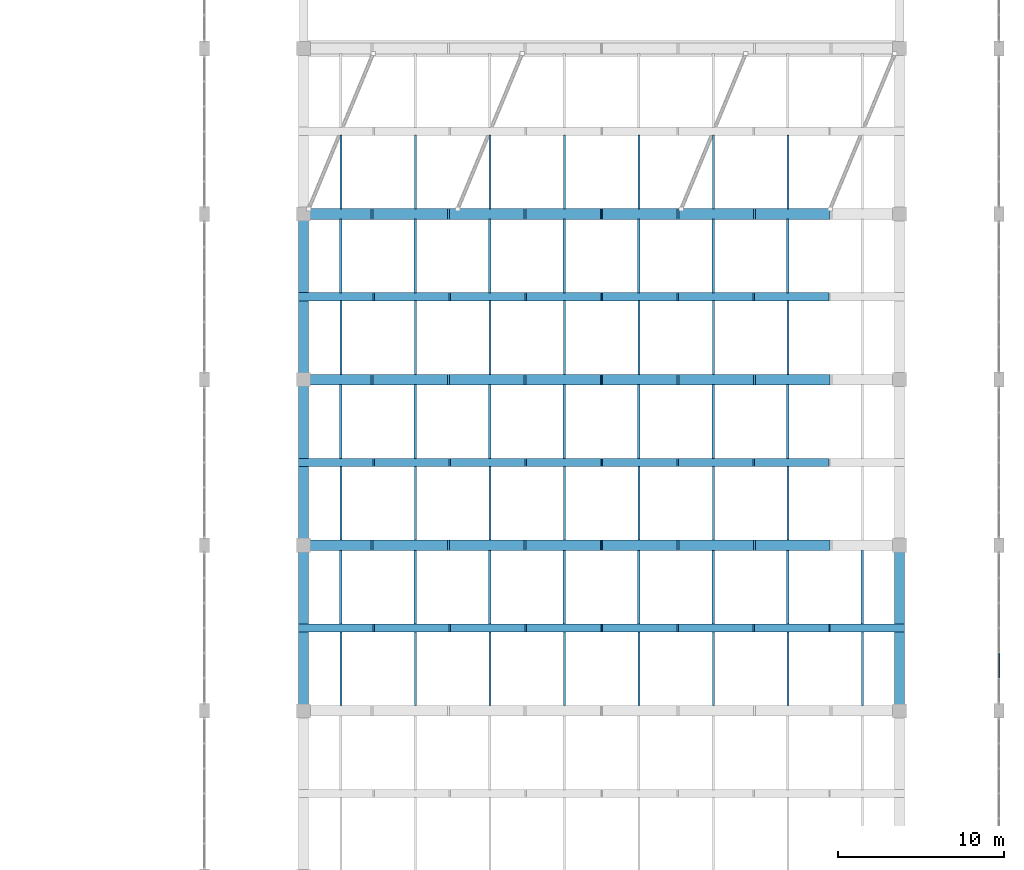
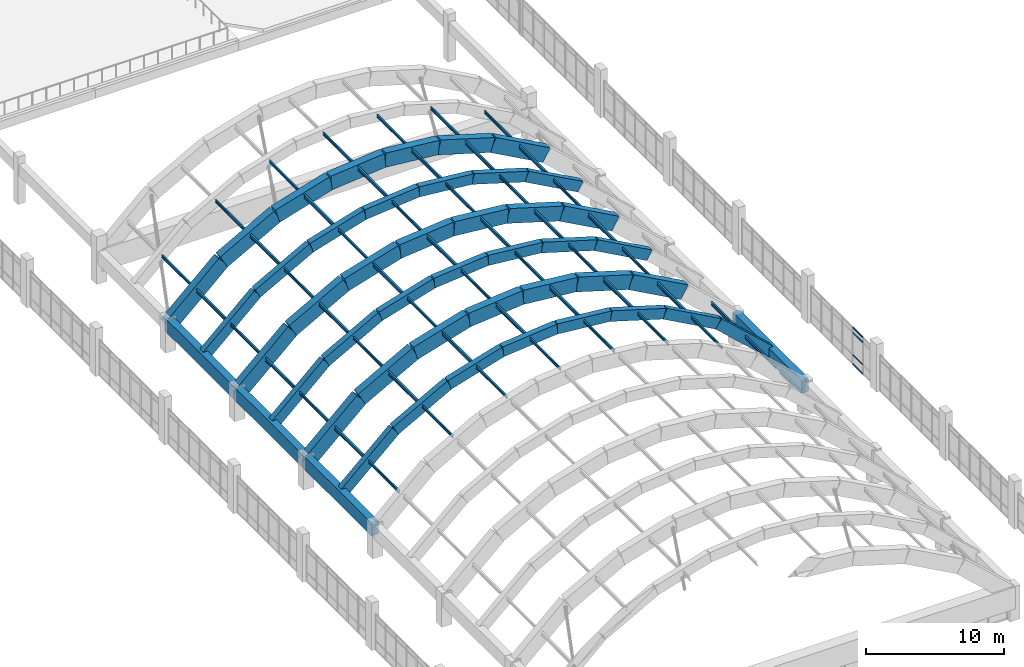
# One storey, part 76 of 111: 55 members, 47 beams, 1 element without a shape of its own.
"""IFC4 building model written with IfcOpenShell, lengths in metres."""

from ifc_helpers import new_model, si_unit, direction, frame, origin, origin_2d, place, context, subcontext, project, spatial, rectangle, hollow_rectangle, i_section, extrude, material, layer, layer_set, material_profile, profile_set, type_object, element, aggregate, save


model = new_model("IFC4")

# Units and contexts
model_context = context("Model", 3, precision=1e-05, world=origin(), true_north=direction((0.0, 1.0)))
body_context = subcontext(model_context, "Body", "Model", "MODEL_VIEW")
ifc_project = project(units=[si_unit("LENGTHUNIT", "METRE"), si_unit("AREAUNIT", "SQUARE_METRE"), si_unit("VOLUMEUNIT", "CUBIC_METRE"), si_unit("PLANEANGLEUNIT", "RADIAN"), si_unit("MASSUNIT", "GRAM", prefix="KILO")], contexts=[model_context])

# Site, building, storey
site_placement = place(None, origin())
site = spatial("IfcSite", under=ifc_project, at=site_placement, CompositionType="ELEMENT")
building_placement = place(site_placement, origin())
building = spatial("IfcBuilding", under=site, at=building_placement, Name="Mersad Railyard Sports Hall", CompositionType="ELEMENT")
storey_placement = place(building_placement, frame((0.0, 0.0, 9.0)))
storey = spatial("IfcBuildingStorey", under=building, at=storey_placement, Name="L02", CompositionType="ELEMENT", Elevation=9.0)

# Curtain wall, members
ifc_material_1 = material(Name="Aluminium 6063-T6", Category="aluminium")
ifc_layer = layer(ifc_material_1, 0.159912109375)
ifc_layer_set = layer_set([ifc_layer], Name="Aluminium 6063-T6")
curtain_wall_type = type_object("IfcCurtainWallType", Name="ARC-CW-CW18", PredefinedType="USERDEFINED", material=ifc_layer_set)
curtain_wall_placement = place(storey_placement, origin())
curtain_wall = element("IfcCurtainWall", 1, at=curtain_wall_placement, inside=storey, type_object=curtain_wall_type, Name="Curtain wall CW18-0051", ObjectType="CURTAIN WALL", PredefinedType="USERDEFINED")
ifc_material_profile_1 = material_profile(ifc_material_1, hollow_rectangle(XDim=0.06005859375, YDim=0.1201171875, WallThickness=0.00390625, at=origin_2d()), Name="AL TRANSOM 60x120x4")
ifc_profile_set_1 = profile_set([ifc_material_profile_1], Name="Aluminium 6063-T6")
member_type_1 = type_object("IfcMemberType", Name="ARC-CW-TRN01", PredefinedType="USERDEFINED", material=ifc_profile_set_1)
member_1_placement = place(storey_placement, frame((179.0, 36.969970703125, 0.0400390625), z_axis=(0.0, -1.0, 0.0), x_axis=(1.0, 0.0, 0.0)))
member_1 = element("IfcMember", 2, at=member_1_placement, type_object=member_type_1, Name="CW18 Transom 1-5", ObjectType="TRANSOM", PredefinedType="USERDEFINED", context=body_context, shape_type="SweptSolid", body=[
    extrude(hollow_rectangle(XDim=0.06005859375, YDim=0.1201171875, WallThickness=0.00390625, at=origin_2d()), origin(), (0.0, 0.0, 1.0), 1.469970703125),
])
member_2_placement = place(storey_placement, frame((179.0, 36.969970703125, 0.85009765625), z_axis=(0.0, -1.0, 0.0), x_axis=(1.0, 0.0, 0.0)))
member_2 = element("IfcMember", 3, at=member_2_placement, type_object=member_type_1, Name="CW18 Transom 2-5", ObjectType="TRANSOM", PredefinedType="USERDEFINED", context=body_context, shape_type="SweptSolid", body=[
    extrude(hollow_rectangle(XDim=0.06005859375, YDim=0.1201171875, WallThickness=0.00390625, at=origin_2d()), origin(), (0.0, 0.0, 1.0), 1.469970703125),
])
member_3_placement = place(storey_placement, frame((179.0, 36.969970703125, 2.820068359375), z_axis=(0.0, -1.0, 0.0), x_axis=(1.0, 0.0, 0.0)))
member_3 = element("IfcMember", 4, at=member_3_placement, type_object=member_type_1, Name="CW18 Transom 3-5", ObjectType="TRANSOM", PredefinedType="USERDEFINED", context=body_context, shape_type="SweptSolid", body=[
    extrude(hollow_rectangle(XDim=0.06005859375, YDim=0.1201171875, WallThickness=0.00390625, at=origin_2d()), origin(), (0.0, 0.0, 1.0), 1.469970703125),
])
member_4_placement = place(storey_placement, frame((179.0, 36.969970703125, 3.260009765625), z_axis=(0.0, -1.0, 0.0), x_axis=(1.0, 0.0, 0.0)))
member_4 = element("IfcMember", 5, at=member_4_placement, type_object=member_type_1, Name="CW18 Transom 4-5", ObjectType="TRANSOM", PredefinedType="USERDEFINED", context=body_context, shape_type="SweptSolid", body=[
    extrude(hollow_rectangle(XDim=0.06005859375, YDim=0.1201171875, WallThickness=0.00390625, at=origin_2d()), origin(), (0.0, 0.0, 1.0), 1.469970703125),
])
aggregate(curtain_wall, [member_1, member_2, member_3, member_4])

# Beams
ifc_material_2 = material(Name="Concrete C50/60", Category="concrete")
ifc_material_profile_2 = material_profile(ifc_material_2, rectangle(XDim=0.60009765625, YDim=1.14990234375, at=origin_2d()), Name="RC 600x1150")
ifc_profile_set_2 = profile_set([ifc_material_profile_2], Name="Concrete C50/60")
beam_type_1 = type_object("IfcBeamType", Name="STR-BM-B05", PredefinedType="BEAM", material=ifc_profile_set_2)
for number, where, z_axis, x_axis, name in (
    (6, (137.0, 33.5, 2.300048828125), (0.0, 1.0, 0.0), (-1.0, 0.0, 0.0), "Beam B05-0711"),
    (7, (173.0, 33.5, 2.300048828125), (0.0, 1.0, 0.0), (-1.0, 0.0, 0.0), "Beam B05-0712"),
    (8, (137.0, 43.5, 2.300048828125), (0.0, 1.0, 0.0), (-1.0, 0.0, 0.0), "Beam B05-0713"),
    (9, (137.0, 53.5, 2.300048828125), (0.0, 1.0, 0.0), (-1.0, 0.0, 0.0), "Beam B05-0715"),
):
    element("IfcBeam", number, at=place(storey_placement, frame(where, z_axis=z_axis, x_axis=x_axis)), inside=storey, type_object=beam_type_1, Name=name, PredefinedType="BEAM", context=body_context, shape_type="SweptSolid", body=[
        extrude(rectangle(XDim=0.60009765625, YDim=1.14990234375, at=origin_2d()), origin(), (0.0, 0.0, 1.0), 10.0),
    ])
ifc_material_3 = material(Name="Architectural concrete C50/60", Category="concrete")
ifc_material_profile_3 = material_profile(ifc_material_3, rectangle(XDim=0.64990234375, YDim=1.25, at=origin_2d()), Name="VR 650x1250")
ifc_profile_set_3 = profile_set([ifc_material_profile_3], Name="Architectural concrete C50/60")
beam_type_2 = type_object("IfcBeamType", Name="STR-BM-VR01", PredefinedType="BEAM", material=ifc_profile_set_3)
beam_1_placement = place(storey_placement, frame((137.0, 43.5, 2.14990234375), z_axis=(0.736556702909, 0.0, 0.676375800425), x_axis=(0.0, 1.0, 0.0)))
element("IfcBeam", 10, at=beam_1_placement, inside=storey, type_object=beam_type_2, Name="Beam VR01-0785", PredefinedType="BEAM", context=body_context, shape_type="SweptSolid", body=[
    extrude(rectangle(XDim=0.64990234375, YDim=1.25, at=origin_2d()), origin(), (0.0, 0.0, 1.0), 6.109619140625),
])
beam_2_placement = place(storey_placement, frame((141.5, 43.5, 6.2822265625), z_axis=(0.876227952683, 0.0, 0.48189685093), x_axis=(0.0, 1.0, 0.0)))
element("IfcBeam", 11, at=beam_2_placement, inside=storey, type_object=beam_type_2, Name="Beam VR01-0786", PredefinedType="BEAM", context=body_context, shape_type="SweptSolid", body=[
    extrude(rectangle(XDim=0.64990234375, YDim=1.25, at=origin_2d()), origin(), (0.0, 0.0, 1.0), 5.1357421875),
])
beam_3_placement = place(storey_placement, frame((146.0, 43.5, 8.757080078125), z_axis=(0.957376232028, 0.0, 0.288843816531), x_axis=(0.0, 1.0, 0.0)))
element("IfcBeam", 12, at=beam_3_placement, inside=storey, type_object=beam_type_2, Name="Beam VR01-0787", PredefinedType="BEAM", context=body_context, shape_type="SweptSolid", body=[
    extrude(rectangle(XDim=0.64990234375, YDim=1.25, at=origin_2d()), origin(), (0.0, 0.0, 1.0), 4.700439453125),
])
for number, where, z_axis, x_axis, name in (
    (13, (150.5, 43.5, 10.11474609375), (0.995353854101, 0.0, 0.096284500969), (0.0, 1.0, 0.0), "Beam VR01-0788"),
    (14, (155.0, 43.5, 10.550048828125), (0.995353854101, 0.0, -0.096284500969), (0.0, 1.0, 0.0), "Beam VR01-0789"),
):
    element("IfcBeam", number, at=place(storey_placement, frame(where, z_axis=z_axis, x_axis=x_axis)), inside=storey, type_object=beam_type_2, Name=name, PredefinedType="BEAM", context=body_context, shape_type="SweptSolid", body=[
        extrude(rectangle(XDim=0.64990234375, YDim=1.25, at=origin_2d()), origin(), (0.0, 0.0, 1.0), 4.52099609375),
    ])
beam_4_placement = place(storey_placement, frame((159.5, 43.5, 10.11474609375), z_axis=(0.957376232028, 0.0, -0.288843816531), x_axis=(0.0, 1.0, 0.0)))
element("IfcBeam", 15, at=beam_4_placement, inside=storey, type_object=beam_type_2, Name="Beam VR01-0790", PredefinedType="BEAM", context=body_context, shape_type="SweptSolid", body=[
    extrude(rectangle(XDim=0.64990234375, YDim=1.25, at=origin_2d()), origin(), (0.0, 0.0, 1.0), 4.700439453125),
])
beam_5_placement = place(storey_placement, frame((164.0, 43.5, 8.757080078125), z_axis=(0.876227952683, 0.0, -0.48189685093), x_axis=(0.0, 1.0, 0.0)))
element("IfcBeam", 16, at=beam_5_placement, inside=storey, type_object=beam_type_2, Name="Beam VR01-0791", PredefinedType="BEAM", context=body_context, shape_type="SweptSolid", body=[
    extrude(rectangle(XDim=0.64990234375, YDim=1.25, at=origin_2d()), origin(), (0.0, 0.0, 1.0), 5.1357421875),
])
beam_6_placement = place(storey_placement, frame((137.0, 53.5, 2.14990234375), z_axis=(0.736556702909, 0.0, 0.676375800425), x_axis=(0.0, 1.0, 0.0)))
element("IfcBeam", 17, at=beam_6_placement, inside=storey, type_object=beam_type_2, Name="Beam VR01-0801", PredefinedType="BEAM", context=body_context, shape_type="SweptSolid", body=[
    extrude(rectangle(XDim=0.64990234375, YDim=1.25, at=origin_2d()), origin(), (0.0, 0.0, 1.0), 6.109619140625),
])
beam_7_placement = place(storey_placement, frame((141.5, 53.5, 6.2822265625), z_axis=(0.876227952683, 0.0, 0.48189685093), x_axis=(0.0, 1.0, 0.0)))
element("IfcBeam", 18, at=beam_7_placement, inside=storey, type_object=beam_type_2, Name="Beam VR01-0802", PredefinedType="BEAM", context=body_context, shape_type="SweptSolid", body=[
    extrude(rectangle(XDim=0.64990234375, YDim=1.25, at=origin_2d()), origin(), (0.0, 0.0, 1.0), 5.1357421875),
])
beam_8_placement = place(storey_placement, frame((146.0, 53.5, 8.757080078125), z_axis=(0.957376232028, 0.0, 0.288843816531), x_axis=(0.0, 1.0, 0.0)))
element("IfcBeam", 19, at=beam_8_placement, inside=storey, type_object=beam_type_2, Name="Beam VR01-0803", PredefinedType="BEAM", context=body_context, shape_type="SweptSolid", body=[
    extrude(rectangle(XDim=0.64990234375, YDim=1.25, at=origin_2d()), origin(), (0.0, 0.0, 1.0), 4.700439453125),
])
for number, where, z_axis, x_axis, name in (
    (20, (150.5, 53.5, 10.11474609375), (0.995353854101, 0.0, 0.096284500969), (0.0, 1.0, 0.0), "Beam VR01-0804"),
    (21, (155.0, 53.5, 10.550048828125), (0.995353854101, 0.0, -0.096284500969), (0.0, 1.0, 0.0), "Beam VR01-0805"),
):
    element("IfcBeam", number, at=place(storey_placement, frame(where, z_axis=z_axis, x_axis=x_axis)), inside=storey, type_object=beam_type_2, Name=name, PredefinedType="BEAM", context=body_context, shape_type="SweptSolid", body=[
        extrude(rectangle(XDim=0.64990234375, YDim=1.25, at=origin_2d()), origin(), (0.0, 0.0, 1.0), 4.52099609375),
    ])
beam_9_placement = place(storey_placement, frame((159.5, 53.5, 10.11474609375), z_axis=(0.957376232028, 0.0, -0.288843816531), x_axis=(0.0, 1.0, 0.0)))
element("IfcBeam", 22, at=beam_9_placement, inside=storey, type_object=beam_type_2, Name="Beam VR01-0806", PredefinedType="BEAM", context=body_context, shape_type="SweptSolid", body=[
    extrude(rectangle(XDim=0.64990234375, YDim=1.25, at=origin_2d()), origin(), (0.0, 0.0, 1.0), 4.700439453125),
])
beam_10_placement = place(storey_placement, frame((164.0, 53.5, 8.757080078125), z_axis=(0.876227952683, 0.0, -0.48189685093), x_axis=(0.0, 1.0, 0.0)))
element("IfcBeam", 23, at=beam_10_placement, inside=storey, type_object=beam_type_2, Name="Beam VR01-0807", PredefinedType="BEAM", context=body_context, shape_type="SweptSolid", body=[
    extrude(rectangle(XDim=0.64990234375, YDim=1.25, at=origin_2d()), origin(), (0.0, 0.0, 1.0), 5.1357421875),
])
beam_11_placement = place(storey_placement, frame((137.0, 63.5, 2.14990234375), z_axis=(0.736556702909, 0.0, 0.676375800425), x_axis=(0.0, 1.0, 0.0)))
element("IfcBeam", 24, at=beam_11_placement, inside=storey, type_object=beam_type_2, Name="Beam VR01-0817", PredefinedType="BEAM", context=body_context, shape_type="SweptSolid", body=[
    extrude(rectangle(XDim=0.64990234375, YDim=1.25, at=origin_2d()), origin(), (0.0, 0.0, 1.0), 6.109619140625),
])
beam_12_placement = place(storey_placement, frame((141.5, 63.5, 6.2822265625), z_axis=(0.876227952683, 0.0, 0.48189685093), x_axis=(0.0, 1.0, 0.0)))
element("IfcBeam", 25, at=beam_12_placement, inside=storey, type_object=beam_type_2, Name="Beam VR01-0818", PredefinedType="BEAM", context=body_context, shape_type="SweptSolid", body=[
    extrude(rectangle(XDim=0.64990234375, YDim=1.25, at=origin_2d()), origin(), (0.0, 0.0, 1.0), 5.1357421875),
])
beam_13_placement = place(storey_placement, frame((146.0, 63.5, 8.757080078125), z_axis=(0.957376232028, 0.0, 0.288843816531), x_axis=(0.0, 1.0, 0.0)))
element("IfcBeam", 26, at=beam_13_placement, inside=storey, type_object=beam_type_2, Name="Beam VR01-0819", PredefinedType="BEAM", context=body_context, shape_type="SweptSolid", body=[
    extrude(rectangle(XDim=0.64990234375, YDim=1.25, at=origin_2d()), origin(), (0.0, 0.0, 1.0), 4.700439453125),
])
for number, where, z_axis, x_axis, name in (
    (27, (150.5, 63.5, 10.11474609375), (0.995353854101, 0.0, 0.096284500969), (0.0, 1.0, 0.0), "Beam VR01-0820"),
    (28, (155.0, 63.5, 10.550048828125), (0.995353854101, 0.0, -0.096284500969), (0.0, 1.0, 0.0), "Beam VR01-0821"),
):
    element("IfcBeam", number, at=place(storey_placement, frame(where, z_axis=z_axis, x_axis=x_axis)), inside=storey, type_object=beam_type_2, Name=name, PredefinedType="BEAM", context=body_context, shape_type="SweptSolid", body=[
        extrude(rectangle(XDim=0.64990234375, YDim=1.25, at=origin_2d()), origin(), (0.0, 0.0, 1.0), 4.52099609375),
    ])
beam_14_placement = place(storey_placement, frame((159.5, 63.5, 10.11474609375), z_axis=(0.957376232028, 0.0, -0.288843816531), x_axis=(0.0, 1.0, 0.0)))
element("IfcBeam", 29, at=beam_14_placement, inside=storey, type_object=beam_type_2, Name="Beam VR01-0822", PredefinedType="BEAM", context=body_context, shape_type="SweptSolid", body=[
    extrude(rectangle(XDim=0.64990234375, YDim=1.25, at=origin_2d()), origin(), (0.0, 0.0, 1.0), 4.700439453125),
])
beam_15_placement = place(storey_placement, frame((164.0, 63.5, 8.757080078125), z_axis=(0.876227952683, 0.0, -0.48189685093), x_axis=(0.0, 1.0, 0.0)))
element("IfcBeam", 30, at=beam_15_placement, inside=storey, type_object=beam_type_2, Name="Beam VR01-0823", PredefinedType="BEAM", context=body_context, shape_type="SweptSolid", body=[
    extrude(rectangle(XDim=0.64990234375, YDim=1.25, at=origin_2d()), origin(), (0.0, 0.0, 1.0), 5.1357421875),
])
ifc_material_profile_4 = material_profile(ifc_material_3, rectangle(XDim=0.5, YDim=0.89990234375, at=origin_2d()), Name="VR 500x900")
ifc_profile_set_4 = profile_set([ifc_material_profile_4], Name="Architectural concrete C50/60")
beam_type_3 = type_object("IfcBeamType", Name="STR-BM-VR02", PredefinedType="BEAM", material=ifc_profile_set_4)
beam_16_placement = place(storey_placement, frame((137.0, 38.5, 2.340087890625), z_axis=(0.736576611143, 0.0, 0.676354120204), x_axis=(0.0, 1.0, 0.0)))
element("IfcBeam", 31, at=beam_16_placement, inside=storey, type_object=beam_type_3, Name="Beam VR02-0777", PredefinedType="BEAM", context=body_context, shape_type="SweptSolid", body=[
    extrude(rectangle(XDim=0.5, YDim=0.89990234375, at=origin_2d()), origin(), (0.0, 0.0, 1.0), 6.109375),
])
beam_17_placement = place(storey_placement, frame((141.5, 38.5, 6.47216796875), z_axis=(0.876227952683, 0.0, 0.48189685093), x_axis=(0.0, 1.0, 0.0)))
element("IfcBeam", 32, at=beam_17_placement, inside=storey, type_object=beam_type_3, Name="Beam VR02-0778", PredefinedType="BEAM", context=body_context, shape_type="SweptSolid", body=[
    extrude(rectangle(XDim=0.5, YDim=0.89990234375, at=origin_2d()), origin(), (0.0, 0.0, 1.0), 5.1357421875),
])
beam_18_placement = place(storey_placement, frame((146.0, 38.5, 8.947021484375), z_axis=(0.957361867705, 0.0, 0.288891422969), x_axis=(0.0, 1.0, 0.0)))
element("IfcBeam", 33, at=beam_18_placement, inside=storey, type_object=beam_type_3, Name="Beam VR02-0779", PredefinedType="BEAM", context=body_context, shape_type="SweptSolid", body=[
    extrude(rectangle(XDim=0.5, YDim=0.89990234375, at=origin_2d()), origin(), (0.0, 0.0, 1.0), 4.700439453125),
])
for number, where, z_axis, x_axis, name in (
    (34, (150.5, 38.5, 10.304931640625), (0.99535902803, 0.0, 0.09623099978), (0.0, 1.0, 0.0), "Beam VR02-0780"),
    (35, (155.0, 38.5, 10.739990234375), (0.99535902803, 0.0, -0.09623099978), (0.0, 1.0, 0.0), "Beam VR02-0781"),
):
    element("IfcBeam", number, at=place(storey_placement, frame(where, z_axis=z_axis, x_axis=x_axis)), inside=storey, type_object=beam_type_3, Name=name, PredefinedType="BEAM", context=body_context, shape_type="SweptSolid", body=[
        extrude(rectangle(XDim=0.5, YDim=0.89990234375, at=origin_2d()), origin(), (0.0, 0.0, 1.0), 4.52099609375),
    ])
beam_19_placement = place(storey_placement, frame((159.5, 38.5, 10.304931640625), z_axis=(0.957361867705, 0.0, -0.288891422969), x_axis=(0.0, 1.0, 0.0)))
element("IfcBeam", 36, at=beam_19_placement, inside=storey, type_object=beam_type_3, Name="Beam VR02-0782", PredefinedType="BEAM", context=body_context, shape_type="SweptSolid", body=[
    extrude(rectangle(XDim=0.5, YDim=0.89990234375, at=origin_2d()), origin(), (0.0, 0.0, 1.0), 4.700439453125),
])
beam_20_placement = place(storey_placement, frame((164.0, 38.5, 8.947021484375), z_axis=(0.876227952683, 0.0, -0.48189685093), x_axis=(0.0, 1.0, 0.0)))
element("IfcBeam", 37, at=beam_20_placement, inside=storey, type_object=beam_type_3, Name="Beam VR02-0783", PredefinedType="BEAM", context=body_context, shape_type="SweptSolid", body=[
    extrude(rectangle(XDim=0.5, YDim=0.89990234375, at=origin_2d()), origin(), (0.0, 0.0, 1.0), 5.1357421875),
])
for number, where, z_axis, x_axis, name in (
    (38, (168.5, 38.5, 6.47216796875), (0.736576611143, 0.0, -0.676354120204), (0.0, 1.0, 0.0), "Beam VR02-0784"),
    (39, (137.0, 48.5, 2.340087890625), (0.736576611143, 0.0, 0.676354120204), (0.0, 1.0, 0.0), "Beam VR02-0793"),
):
    element("IfcBeam", number, at=place(storey_placement, frame(where, z_axis=z_axis, x_axis=x_axis)), inside=storey, type_object=beam_type_3, Name=name, PredefinedType="BEAM", context=body_context, shape_type="SweptSolid", body=[
        extrude(rectangle(XDim=0.5, YDim=0.89990234375, at=origin_2d()), origin(), (0.0, 0.0, 1.0), 6.109375),
    ])
beam_21_placement = place(storey_placement, frame((141.5, 48.5, 6.47216796875), z_axis=(0.876227952683, 0.0, 0.48189685093), x_axis=(0.0, 1.0, 0.0)))
element("IfcBeam", 40, at=beam_21_placement, inside=storey, type_object=beam_type_3, Name="Beam VR02-0794", PredefinedType="BEAM", context=body_context, shape_type="SweptSolid", body=[
    extrude(rectangle(XDim=0.5, YDim=0.89990234375, at=origin_2d()), origin(), (0.0, 0.0, 1.0), 5.1357421875),
])
beam_22_placement = place(storey_placement, frame((146.0, 48.5, 8.947021484375), z_axis=(0.957361867705, 0.0, 0.288891422969), x_axis=(0.0, 1.0, 0.0)))
element("IfcBeam", 41, at=beam_22_placement, inside=storey, type_object=beam_type_3, Name="Beam VR02-0795", PredefinedType="BEAM", context=body_context, shape_type="SweptSolid", body=[
    extrude(rectangle(XDim=0.5, YDim=0.89990234375, at=origin_2d()), origin(), (0.0, 0.0, 1.0), 4.700439453125),
])
for number, where, z_axis, x_axis, name in (
    (42, (150.5, 48.5, 10.304931640625), (0.99535902803, 0.0, 0.09623099978), (0.0, 1.0, 0.0), "Beam VR02-0796"),
    (43, (155.0, 48.5, 10.739990234375), (0.99535902803, 0.0, -0.09623099978), (0.0, 1.0, 0.0), "Beam VR02-0797"),
):
    element("IfcBeam", number, at=place(storey_placement, frame(where, z_axis=z_axis, x_axis=x_axis)), inside=storey, type_object=beam_type_3, Name=name, PredefinedType="BEAM", context=body_context, shape_type="SweptSolid", body=[
        extrude(rectangle(XDim=0.5, YDim=0.89990234375, at=origin_2d()), origin(), (0.0, 0.0, 1.0), 4.52099609375),
    ])
beam_23_placement = place(storey_placement, frame((159.5, 48.5, 10.304931640625), z_axis=(0.957361867705, 0.0, -0.288891422969), x_axis=(0.0, 1.0, 0.0)))
element("IfcBeam", 44, at=beam_23_placement, inside=storey, type_object=beam_type_3, Name="Beam VR02-0798", PredefinedType="BEAM", context=body_context, shape_type="SweptSolid", body=[
    extrude(rectangle(XDim=0.5, YDim=0.89990234375, at=origin_2d()), origin(), (0.0, 0.0, 1.0), 4.700439453125),
])
beam_24_placement = place(storey_placement, frame((164.0, 48.5, 8.947021484375), z_axis=(0.876227952683, 0.0, -0.48189685093), x_axis=(0.0, 1.0, 0.0)))
element("IfcBeam", 45, at=beam_24_placement, inside=storey, type_object=beam_type_3, Name="Beam VR02-0799", PredefinedType="BEAM", context=body_context, shape_type="SweptSolid", body=[
    extrude(rectangle(XDim=0.5, YDim=0.89990234375, at=origin_2d()), origin(), (0.0, 0.0, 1.0), 5.1357421875),
])
beam_25_placement = place(storey_placement, frame((137.0, 58.5, 2.340087890625), z_axis=(0.736576611143, 0.0, 0.676354120204), x_axis=(0.0, 1.0, 0.0)))
element("IfcBeam", 46, at=beam_25_placement, inside=storey, type_object=beam_type_3, Name="Beam VR02-0809", PredefinedType="BEAM", context=body_context, shape_type="SweptSolid", body=[
    extrude(rectangle(XDim=0.5, YDim=0.89990234375, at=origin_2d()), origin(), (0.0, 0.0, 1.0), 6.109375),
])
beam_26_placement = place(storey_placement, frame((141.5, 58.5, 6.47216796875), z_axis=(0.876227952683, 0.0, 0.48189685093), x_axis=(0.0, 1.0, 0.0)))
element("IfcBeam", 47, at=beam_26_placement, inside=storey, type_object=beam_type_3, Name="Beam VR02-0810", PredefinedType="BEAM", context=body_context, shape_type="SweptSolid", body=[
    extrude(rectangle(XDim=0.5, YDim=0.89990234375, at=origin_2d()), origin(), (0.0, 0.0, 1.0), 5.1357421875),
])
beam_27_placement = place(storey_placement, frame((146.0, 58.5, 8.947021484375), z_axis=(0.957361867705, 0.0, 0.288891422969), x_axis=(0.0, 1.0, 0.0)))
element("IfcBeam", 48, at=beam_27_placement, inside=storey, type_object=beam_type_3, Name="Beam VR02-0811", PredefinedType="BEAM", context=body_context, shape_type="SweptSolid", body=[
    extrude(rectangle(XDim=0.5, YDim=0.89990234375, at=origin_2d()), origin(), (0.0, 0.0, 1.0), 4.700439453125),
])
for number, where, z_axis, x_axis, name in (
    (49, (150.5, 58.5, 10.304931640625), (0.99535902803, 0.0, 0.09623099978), (0.0, 1.0, 0.0), "Beam VR02-0812"),
    (50, (155.0, 58.5, 10.739990234375), (0.99535902803, 0.0, -0.09623099978), (0.0, 1.0, 0.0), "Beam VR02-0813"),
):
    element("IfcBeam", number, at=place(storey_placement, frame(where, z_axis=z_axis, x_axis=x_axis)), inside=storey, type_object=beam_type_3, Name=name, PredefinedType="BEAM", context=body_context, shape_type="SweptSolid", body=[
        extrude(rectangle(XDim=0.5, YDim=0.89990234375, at=origin_2d()), origin(), (0.0, 0.0, 1.0), 4.52099609375),
    ])
beam_28_placement = place(storey_placement, frame((159.5, 58.5, 10.304931640625), z_axis=(0.957361867705, 0.0, -0.288891422969), x_axis=(0.0, 1.0, 0.0)))
element("IfcBeam", 51, at=beam_28_placement, inside=storey, type_object=beam_type_3, Name="Beam VR02-0814", PredefinedType="BEAM", context=body_context, shape_type="SweptSolid", body=[
    extrude(rectangle(XDim=0.5, YDim=0.89990234375, at=origin_2d()), origin(), (0.0, 0.0, 1.0), 4.700439453125),
])
beam_29_placement = place(storey_placement, frame((164.0, 58.5, 8.947021484375), z_axis=(0.876227952683, 0.0, -0.48189685093), x_axis=(0.0, 1.0, 0.0)))
element("IfcBeam", 52, at=beam_29_placement, inside=storey, type_object=beam_type_3, Name="Beam VR02-0815", PredefinedType="BEAM", context=body_context, shape_type="SweptSolid", body=[
    extrude(rectangle(XDim=0.5, YDim=0.89990234375, at=origin_2d()), origin(), (0.0, 0.0, 1.0), 5.1357421875),
])

# Members
ifc_material_4 = material(Name="Steel S355", Category="steel")
ifc_material_profile_5 = material_profile(ifc_material_4, i_section(OverallWidth=0.1201171875, OverallDepth=0.239990234375, WebThickness=0.006103515625, FlangeThickness=0.009765625, at=origin_2d()), Name="IPE 240")
ifc_profile_set_5 = profile_set([ifc_material_profile_5], Name="Steel S355")
member_type_2 = type_object("IfcMemberType", Name="STR-MEM-PU01", PredefinedType="PURLIN", material=ifc_profile_set_5)
for number, where, z_axis, x_axis, name in (
    (53, (139.25, 33.804931640625, 4.546142578125), (0.0, 1.0, 0.0), (-1.0, 0.0, 0.0), "Structural member PU01-0146"),
    (54, (143.75, 33.804931640625, 7.849609375), (0.0, 1.0, 0.0), (-1.0, 0.0, 0.0), "Structural member PU01-0148"),
    (55, (148.25, 33.804931640625, 9.765869140625), (0.0, 1.0, 0.0), (-1.0, 0.0, 0.0), "Structural member PU01-0150"),
    (56, (152.75, 33.804931640625, 10.662353515625), (0.0, 1.0, 0.0), (-1.0, 0.0, 0.0), "Structural member PU01-0152"),
    (57, (157.25, 33.804931640625, 10.662353515625), (0.0, 1.0, 0.0), (-1.0, 0.0, 0.0), "Structural member PU01-0154"),
    (58, (161.75, 33.804931640625, 9.765869140625), (0.0, 1.0, 0.0), (-1.0, 0.0, 0.0), "Structural member PU01-0156"),
    (59, (166.25, 33.804931640625, 7.849609375), (0.0, 1.0, 0.0), (-1.0, 0.0, 0.0), "Structural member PU01-0158"),
    (60, (170.75, 33.804931640625, 4.546142578125), (0.0, 1.0, 0.0), (-1.0, 0.0, 0.0), "Structural member PU01-0160"),
    (61, (139.25, 43.804931640625, 4.546142578125), (0.0, 1.0, 0.0), (-1.0, 0.0, 0.0), "Structural member PU01-0162"),
    (62, (143.75, 43.804931640625, 7.849609375), (0.0, 1.0, 0.0), (-1.0, 0.0, 0.0), "Structural member PU01-0164"),
    (63, (148.25, 43.804931640625, 9.765869140625), (0.0, 1.0, 0.0), (-1.0, 0.0, 0.0), "Structural member PU01-0166"),
    (64, (152.75, 43.804931640625, 10.662353515625), (0.0, 1.0, 0.0), (-1.0, 0.0, 0.0), "Structural member PU01-0168"),
    (65, (157.25, 43.804931640625, 10.662353515625), (0.0, 1.0, 0.0), (-1.0, 0.0, 0.0), "Structural member PU01-0170"),
    (66, (161.75, 43.804931640625, 9.765869140625), (0.0, 1.0, 0.0), (-1.0, 0.0, 0.0), "Structural member PU01-0172"),
    (67, (166.25, 43.804931640625, 7.849609375), (0.0, 1.0, 0.0), (-1.0, 0.0, 0.0), "Structural member PU01-0174"),
    (68, (139.25, 53.804931640625, 4.546142578125), (0.0, 1.0, 0.0), (-1.0, 0.0, 0.0), "Structural member PU01-0178"),
    (69, (143.75, 53.804931640625, 7.849609375), (0.0, 1.0, 0.0), (-1.0, 0.0, 0.0), "Structural member PU01-0180"),
    (70, (148.25, 53.804931640625, 9.765869140625), (0.0, 1.0, 0.0), (-1.0, 0.0, 0.0), "Structural member PU01-0182"),
    (71, (152.75, 53.804931640625, 10.662353515625), (0.0, 1.0, 0.0), (-1.0, 0.0, 0.0), "Structural member PU01-0184"),
    (72, (157.25, 53.804931640625, 10.662353515625), (0.0, 1.0, 0.0), (-1.0, 0.0, 0.0), "Structural member PU01-0186"),
    (73, (161.75, 53.804931640625, 9.765869140625), (0.0, 1.0, 0.0), (-1.0, 0.0, 0.0), "Structural member PU01-0188"),
    (74, (166.25, 53.804931640625, 7.849609375), (0.0, 1.0, 0.0), (-1.0, 0.0, 0.0), "Structural member PU01-0190"),
    (75, (139.25, 63.804931640625, 4.546142578125), (0.0, 1.0, 0.0), (-1.0, 0.0, 0.0), "Structural member PU01-0194"),
    (76, (143.75, 63.804931640625, 7.849609375), (0.0, 1.0, 0.0), (-1.0, 0.0, 0.0), "Structural member PU01-0196"),
    (77, (148.25, 63.804931640625, 9.765869140625), (0.0, 1.0, 0.0), (-1.0, 0.0, 0.0), "Structural member PU01-0198"),
    (78, (152.75, 63.804931640625, 10.662353515625), (0.0, 1.0, 0.0), (-1.0, 0.0, 0.0), "Structural member PU01-0200"),
    (79, (157.25, 63.804931640625, 10.662353515625), (0.0, 1.0, 0.0), (-1.0, 0.0, 0.0), "Structural member PU01-0202"),
    (80, (161.75, 63.804931640625, 9.765869140625), (0.0, 1.0, 0.0), (-1.0, 0.0, 0.0), "Structural member PU01-0204"),
    (81, (166.25, 63.804931640625, 7.849609375), (0.0, 1.0, 0.0), (-1.0, 0.0, 0.0), "Structural member PU01-0206"),
):
    element("IfcMember", number, at=place(storey_placement, frame(where, z_axis=z_axis, x_axis=x_axis)), inside=storey, type_object=member_type_2, Name=name, PredefinedType="PURLIN", context=body_context, shape_type="SweptSolid", body=[
        extrude(i_section(OverallWidth=0.1201171875, OverallDepth=0.239990234375, WebThickness=0.006103515625, FlangeThickness=0.009765625, at=origin_2d()), origin(), (0.0, 0.0, 1.0), 4.465087890625),
    ])
ifc_material_profile_6 = material_profile(ifc_material_4, i_section(OverallWidth=0.14990234375, OverallDepth=0.300048828125, WebThickness=0.007080078125, FlangeThickness=0.0107421875, at=origin_2d()), Name="IPE 300")
ifc_profile_set_6 = profile_set([ifc_material_profile_6], Name="Steel S355")
member_type_3 = type_object("IfcMemberType", Name="STR-MEM-PU02", PredefinedType="PURLIN", material=ifc_profile_set_6)
for number, where, z_axis, x_axis, name in (
    (82, (139.25, 38.72998046875, 4.546142578125), (0.0, 1.0, 0.0), (-1.0, 0.0, 0.0), "Structural member PU02-0147"),
    (83, (143.75, 38.72998046875, 7.849609375), (0.0, 1.0, 0.0), (-1.0, 0.0, 0.0), "Structural member PU02-0149"),
    (84, (148.25, 38.72998046875, 9.765869140625), (0.0, 1.0, 0.0), (-1.0, 0.0, 0.0), "Structural member PU02-0151"),
    (85, (152.75, 38.72998046875, 10.662353515625), (0.0, 1.0, 0.0), (-1.0, 0.0, 0.0), "Structural member PU02-0153"),
    (86, (157.25, 38.72998046875, 10.662353515625), (0.0, 1.0, 0.0), (-1.0, 0.0, 0.0), "Structural member PU02-0155"),
    (87, (161.75, 38.72998046875, 9.765869140625), (0.0, 1.0, 0.0), (-1.0, 0.0, 0.0), "Structural member PU02-0157"),
    (88, (166.25, 38.72998046875, 7.849609375), (0.0, 1.0, 0.0), (-1.0, 0.0, 0.0), "Structural member PU02-0159"),
    (89, (170.75, 38.72998046875, 4.546142578125), (0.0, 1.0, 0.0), (-1.0, 0.0, 0.0), "Structural member PU02-0161"),
    (90, (139.25, 48.72998046875, 4.546142578125), (0.0, 1.0, 0.0), (-1.0, 0.0, 0.0), "Structural member PU02-0163"),
    (91, (143.75, 48.72998046875, 7.849609375), (0.0, 1.0, 0.0), (-1.0, 0.0, 0.0), "Structural member PU02-0165"),
    (92, (148.25, 48.72998046875, 9.765869140625), (0.0, 1.0, 0.0), (-1.0, 0.0, 0.0), "Structural member PU02-0167"),
    (93, (152.75, 48.72998046875, 10.662353515625), (0.0, 1.0, 0.0), (-1.0, 0.0, 0.0), "Structural member PU02-0169"),
    (94, (157.25, 48.72998046875, 10.662353515625), (0.0, 1.0, 0.0), (-1.0, 0.0, 0.0), "Structural member PU02-0171"),
    (95, (161.75, 48.72998046875, 9.765869140625), (0.0, 1.0, 0.0), (-1.0, 0.0, 0.0), "Structural member PU02-0173"),
    (96, (166.25, 48.72998046875, 7.849609375), (0.0, 1.0, 0.0), (-1.0, 0.0, 0.0), "Structural member PU02-0175"),
    (97, (139.25, 58.72998046875, 4.546142578125), (0.0, 1.0, 0.0), (-1.0, 0.0, 0.0), "Structural member PU02-0179"),
    (98, (143.75, 58.72998046875, 7.849609375), (0.0, 1.0, 0.0), (-1.0, 0.0, 0.0), "Structural member PU02-0181"),
    (99, (148.25, 58.72998046875, 9.765869140625), (0.0, 1.0, 0.0), (-1.0, 0.0, 0.0), "Structural member PU02-0183"),
    (100, (152.75, 58.72998046875, 10.662353515625), (0.0, 1.0, 0.0), (-1.0, 0.0, 0.0), "Structural member PU02-0185"),
    (101, (157.25, 58.72998046875, 10.662353515625), (0.0, 1.0, 0.0), (-1.0, 0.0, 0.0), "Structural member PU02-0187"),
    (102, (161.75, 58.72998046875, 9.765869140625), (0.0, 1.0, 0.0), (-1.0, 0.0, 0.0), "Structural member PU02-0189"),
    (103, (166.25, 58.72998046875, 7.849609375), (0.0, 1.0, 0.0), (-1.0, 0.0, 0.0), "Structural member PU02-0191"),
):
    element("IfcMember", number, at=place(storey_placement, frame(where, z_axis=z_axis, x_axis=x_axis)), inside=storey, type_object=member_type_3, Name=name, PredefinedType="PURLIN", context=body_context, shape_type="SweptSolid", body=[
        extrude(i_section(OverallWidth=0.14990234375, OverallDepth=0.300048828125, WebThickness=0.007080078125, FlangeThickness=0.0107421875, at=origin_2d()), origin(), (0.0, 0.0, 1.0), 4.465087890625),
    ])

save(model, "model.ifc")
